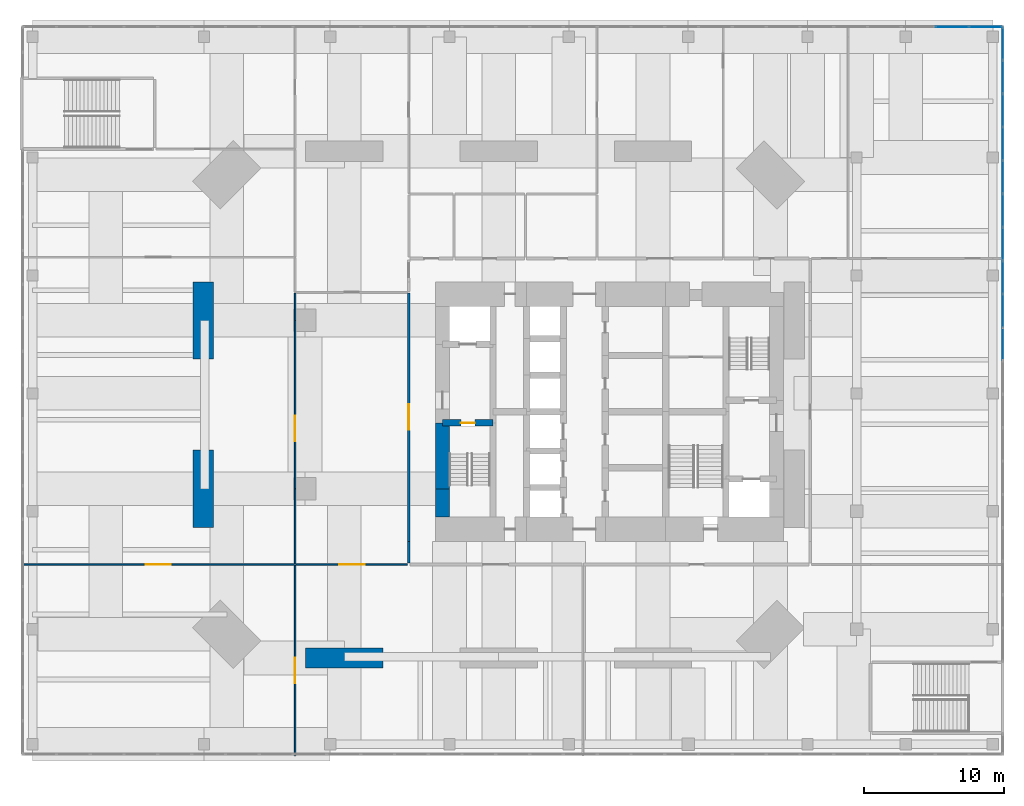
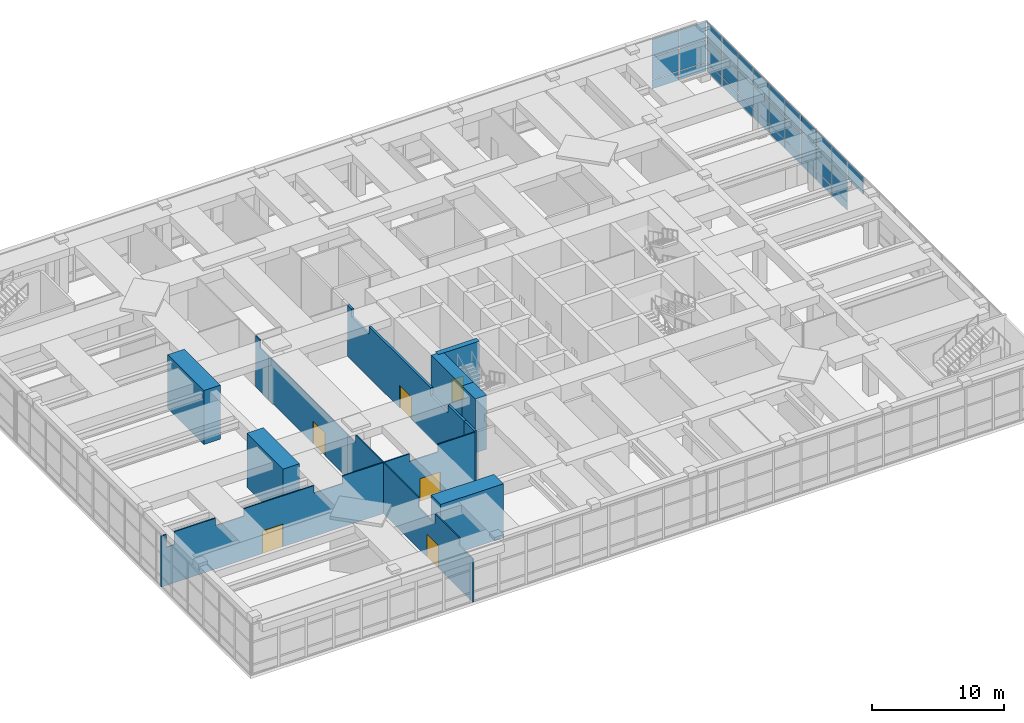
# One storey, part 18 of 24: 34 plates, 14 walls, 6 doors, 6 openings, 2 elements without a shape of their own.
"""IFC4 building model written with IfcOpenShell, lengths in metres."""

from ifc_helpers import new_model, si_unit, direction, frame, frame_2d, origin, origin_2d, place, context, subcontext, project, spatial, polyline, rectangle, outline, extrude, material, layer, layer_set, constituent, constituent_set, type_object, element, fill, aggregate, save


model = new_model("IFC4")

# Units and contexts
model_context = context("Model", 3, precision=1e-05, world=origin(), true_north=direction((0.0, 1.0)))
body_context = subcontext(model_context, "Body", "Model", "MODEL_VIEW")
ifc_project = project(units=[si_unit("LENGTHUNIT", "METRE"), si_unit("AREAUNIT", "SQUARE_METRE"), si_unit("VOLUMEUNIT", "CUBIC_METRE"), si_unit("PLANEANGLEUNIT", "RADIAN"), si_unit("MASSUNIT", "GRAM", prefix="KILO")], contexts=[model_context])

# Site, building, storey
site_placement = place(None, origin())
site = spatial("IfcSite", under=ifc_project, at=site_placement, CompositionType="ELEMENT")
building_placement = place(site_placement, origin())
building = spatial("IfcBuilding", under=site, at=building_placement, Name="Jalousie Tower", CompositionType="ELEMENT")
storey_placement = place(building_placement, frame((0.0, 0.0, 11.0)))
storey = spatial("IfcBuildingStorey", under=building, at=storey_placement, Name="L02", CompositionType="ELEMENT", Elevation=11.0)

# Curtain wall, plates
ifc_material_1 = material(Name="Aluminium curtain wall", Category="aluminium")
curtain_wall_type = type_object("IfcCurtainWallType", Name="PODIUM WINDOW WALL", PredefinedType="USERDEFINED", material=ifc_material_1)
curtain_wall_1_placement = place(storey_placement, origin())
curtain_wall_1 = element("IfcCurtainWall", 1, at=curtain_wall_1_placement, inside=storey, type_object=curtain_wall_type, Name="Podium Window Wall L02 13", ObjectType="PODIUM WINDOW WALL", PredefinedType="USERDEFINED")
ifc_material_2 = material(Name="Laminated impact-rated glass", Category="glass")
ifc_layer_1 = layer(ifc_material_2, 0.030029296875)
ifc_layer_set_1 = layer_set([ifc_layer_1], Name="Laminated impact-rated glass")
plate_type = type_object("IfcPlateType", Name="PODIUM WINDOW WALL PANEL", PredefinedType="CURTAIN_PANEL", material=ifc_layer_set_1)
plate_1_placement = place(storey_placement, frame((59.91259765625, 23.30615234375, 3.03515625), z_axis=(0.0, 0.0, 1.0), x_axis=(0.0, 1.0, 0.0)))
plate_1 = element("IfcPlate", 2, at=plate_1_placement, type_object=plate_type, Name="CW-P panel 10.3", PredefinedType="CURTAIN_PANEL", context=body_context, shape_type="SweptSolid", body=[
    extrude(rectangle(XDim=2.3095703125, YDim=0.030029296875, at=origin_2d()), origin(), (0.0, 0.0, 1.0), 1.614990234375),
])
plate_2_placement = place(storey_placement, frame((59.91259765625, 25.685791015625, 0.070068359375), z_axis=(0.0, 0.0, 1.0), x_axis=(0.0, 1.0, 0.0)))
plate_2 = element("IfcPlate", 3, at=plate_2_placement, type_object=plate_type, Name="CW-P panel 11.1", PredefinedType="CURTAIN_PANEL", context=body_context, shape_type="SweptSolid", body=[
    extrude(rectangle(XDim=2.3095703125, YDim=0.030029296875, at=origin_2d()), origin(), (0.0, 0.0, 1.0), 0.794921875),
])
plate_3_placement = place(storey_placement, frame((59.91259765625, 25.685791015625, 0.93505859375), z_axis=(0.0, 0.0, 1.0), x_axis=(0.0, 1.0, 0.0)))
plate_3 = element("IfcPlate", 4, at=plate_3_placement, type_object=plate_type, Name="CW-P panel 11.2", PredefinedType="CURTAIN_PANEL", context=body_context, shape_type="SweptSolid", body=[
    extrude(rectangle(XDim=2.3095703125, YDim=0.030029296875, at=origin_2d()), origin(), (0.0, 0.0, 1.0), 2.030029296875),
])
plate_4_placement = place(storey_placement, frame((59.91259765625, 25.685791015625, 3.03515625), z_axis=(0.0, 0.0, 1.0), x_axis=(0.0, 1.0, 0.0)))
plate_4 = element("IfcPlate", 5, at=plate_4_placement, type_object=plate_type, Name="CW-P panel 11.3", PredefinedType="CURTAIN_PANEL", context=body_context, shape_type="SweptSolid", body=[
    extrude(rectangle(XDim=2.3095703125, YDim=0.030029296875, at=origin_2d()), origin(), (0.0, 0.0, 1.0), 1.614990234375),
])
plate_5_placement = place(storey_placement, frame((59.91259765625, 28.0654296875, 0.070068359375), z_axis=(0.0, 0.0, 1.0), x_axis=(0.0, 1.0, 0.0)))
plate_5 = element("IfcPlate", 6, at=plate_5_placement, type_object=plate_type, Name="CW-P panel 12.1", PredefinedType="CURTAIN_PANEL", context=body_context, shape_type="SweptSolid", body=[
    extrude(rectangle(XDim=2.3095703125, YDim=0.030029296875, at=origin_2d()), origin(), (0.0, 0.0, 1.0), 0.794921875),
])
plate_6_placement = place(storey_placement, frame((59.91259765625, 28.0654296875, 0.93505859375), z_axis=(0.0, 0.0, 1.0), x_axis=(0.0, 1.0, 0.0)))
plate_6 = element("IfcPlate", 7, at=plate_6_placement, type_object=plate_type, Name="CW-P panel 12.2", PredefinedType="CURTAIN_PANEL", context=body_context, shape_type="SweptSolid", body=[
    extrude(rectangle(XDim=2.3095703125, YDim=0.030029296875, at=origin_2d()), origin(), (0.0, 0.0, 1.0), 2.030029296875),
])
plate_7_placement = place(storey_placement, frame((59.91259765625, 28.0654296875, 3.03515625), z_axis=(0.0, 0.0, 1.0), x_axis=(0.0, 1.0, 0.0)))
plate_7 = element("IfcPlate", 8, at=plate_7_placement, type_object=plate_type, Name="CW-P panel 12.3", PredefinedType="CURTAIN_PANEL", context=body_context, shape_type="SweptSolid", body=[
    extrude(rectangle(XDim=2.3095703125, YDim=0.030029296875, at=origin_2d()), origin(), (0.0, 0.0, 1.0), 1.614990234375),
])
plate_8_placement = place(storey_placement, frame((59.91259765625, 30.445068359375, 0.070068359375), z_axis=(0.0, 0.0, 1.0), x_axis=(0.0, 1.0, 0.0)))
plate_8 = element("IfcPlate", 9, at=plate_8_placement, type_object=plate_type, Name="CW-P panel 13.1", PredefinedType="CURTAIN_PANEL", context=body_context, shape_type="SweptSolid", body=[
    extrude(rectangle(XDim=2.3095703125, YDim=0.030029296875, at=origin_2d()), origin(), (0.0, 0.0, 1.0), 0.794921875),
])
plate_9_placement = place(storey_placement, frame((59.91259765625, 30.445068359375, 0.93505859375), z_axis=(0.0, 0.0, 1.0), x_axis=(0.0, 1.0, 0.0)))
plate_9 = element("IfcPlate", 10, at=plate_9_placement, type_object=plate_type, Name="CW-P panel 13.2", PredefinedType="CURTAIN_PANEL", context=body_context, shape_type="SweptSolid", body=[
    extrude(rectangle(XDim=2.3095703125, YDim=0.030029296875, at=origin_2d()), origin(), (0.0, 0.0, 1.0), 2.030029296875),
])
plate_10_placement = place(storey_placement, frame((59.91259765625, 30.445068359375, 3.03515625), z_axis=(0.0, 0.0, 1.0), x_axis=(0.0, 1.0, 0.0)))
plate_10 = element("IfcPlate", 11, at=plate_10_placement, type_object=plate_type, Name="CW-P panel 13.3", PredefinedType="CURTAIN_PANEL", context=body_context, shape_type="SweptSolid", body=[
    extrude(rectangle(XDim=2.3095703125, YDim=0.030029296875, at=origin_2d()), origin(), (0.0, 0.0, 1.0), 1.614990234375),
])
plate_11_placement = place(storey_placement, frame((59.91259765625, 32.82470703125, 0.070068359375), z_axis=(0.0, 0.0, 1.0), x_axis=(0.0, 1.0, 0.0)))
plate_11 = element("IfcPlate", 12, at=plate_11_placement, type_object=plate_type, Name="CW-P panel 14.1", PredefinedType="CURTAIN_PANEL", context=body_context, shape_type="SweptSolid", body=[
    extrude(rectangle(XDim=2.3095703125, YDim=0.030029296875, at=origin_2d()), origin(), (0.0, 0.0, 1.0), 0.794921875),
])
plate_12_placement = place(storey_placement, frame((59.91259765625, 32.82470703125, 0.93505859375), z_axis=(0.0, 0.0, 1.0), x_axis=(0.0, 1.0, 0.0)))
plate_12 = element("IfcPlate", 13, at=plate_12_placement, type_object=plate_type, Name="CW-P panel 14.2", PredefinedType="CURTAIN_PANEL", context=body_context, shape_type="SweptSolid", body=[
    extrude(rectangle(XDim=2.3095703125, YDim=0.030029296875, at=origin_2d()), origin(), (0.0, 0.0, 1.0), 2.030029296875),
])
plate_13_placement = place(storey_placement, frame((59.91259765625, 32.82470703125, 3.03515625), z_axis=(0.0, 0.0, 1.0), x_axis=(0.0, 1.0, 0.0)))
plate_13 = element("IfcPlate", 14, at=plate_13_placement, type_object=plate_type, Name="CW-P panel 14.3", PredefinedType="CURTAIN_PANEL", context=body_context, shape_type="SweptSolid", body=[
    extrude(rectangle(XDim=2.3095703125, YDim=0.030029296875, at=origin_2d()), origin(), (0.0, 0.0, 1.0), 1.614990234375),
])
plate_14_placement = place(storey_placement, frame((59.91259765625, 35.204345703125, 0.070068359375), z_axis=(0.0, 0.0, 1.0), x_axis=(0.0, 1.0, 0.0)))
plate_14 = element("IfcPlate", 15, at=plate_14_placement, type_object=plate_type, Name="CW-P panel 15.1", PredefinedType="CURTAIN_PANEL", context=body_context, shape_type="SweptSolid", body=[
    extrude(rectangle(XDim=2.3095703125, YDim=0.030029296875, at=origin_2d()), origin(), (0.0, 0.0, 1.0), 0.794921875),
])
plate_15_placement = place(storey_placement, frame((59.91259765625, 35.204345703125, 0.93505859375), z_axis=(0.0, 0.0, 1.0), x_axis=(0.0, 1.0, 0.0)))
plate_15 = element("IfcPlate", 16, at=plate_15_placement, type_object=plate_type, Name="CW-P panel 15.2", PredefinedType="CURTAIN_PANEL", context=body_context, shape_type="SweptSolid", body=[
    extrude(rectangle(XDim=2.3095703125, YDim=0.030029296875, at=origin_2d()), origin(), (0.0, 0.0, 1.0), 2.030029296875),
])
plate_16_placement = place(storey_placement, frame((59.91259765625, 35.204345703125, 3.03515625), z_axis=(0.0, 0.0, 1.0), x_axis=(0.0, 1.0, 0.0)))
plate_16 = element("IfcPlate", 17, at=plate_16_placement, type_object=plate_type, Name="CW-P panel 15.3", PredefinedType="CURTAIN_PANEL", context=body_context, shape_type="SweptSolid", body=[
    extrude(rectangle(XDim=2.3095703125, YDim=0.030029296875, at=origin_2d()), origin(), (0.0, 0.0, 1.0), 1.614990234375),
])
plate_17_placement = place(storey_placement, frame((59.91259765625, 37.583984375, 0.070068359375), z_axis=(0.0, 0.0, 1.0), x_axis=(0.0, 1.0, 0.0)))
plate_17 = element("IfcPlate", 18, at=plate_17_placement, type_object=plate_type, Name="CW-P panel 16.1", PredefinedType="CURTAIN_PANEL", context=body_context, shape_type="SweptSolid", body=[
    extrude(rectangle(XDim=2.3095703125, YDim=0.030029296875, at=origin_2d()), origin(), (0.0, 0.0, 1.0), 0.794921875),
])
plate_18_placement = place(storey_placement, frame((59.91259765625, 37.583984375, 0.93505859375), z_axis=(0.0, 0.0, 1.0), x_axis=(0.0, 1.0, 0.0)))
plate_18 = element("IfcPlate", 19, at=plate_18_placement, type_object=plate_type, Name="CW-P panel 16.2", PredefinedType="CURTAIN_PANEL", context=body_context, shape_type="SweptSolid", body=[
    extrude(rectangle(XDim=2.3095703125, YDim=0.030029296875, at=origin_2d()), origin(), (0.0, 0.0, 1.0), 2.030029296875),
])
plate_19_placement = place(storey_placement, frame((59.91259765625, 37.583984375, 3.03515625), z_axis=(0.0, 0.0, 1.0), x_axis=(0.0, 1.0, 0.0)))
plate_19 = element("IfcPlate", 20, at=plate_19_placement, type_object=plate_type, Name="CW-P panel 16.3", PredefinedType="CURTAIN_PANEL", context=body_context, shape_type="SweptSolid", body=[
    extrude(rectangle(XDim=2.3095703125, YDim=0.030029296875, at=origin_2d()), origin(), (0.0, 0.0, 1.0), 1.614990234375),
])
plate_20_placement = place(storey_placement, frame((59.91259765625, 39.96337890625, 0.070068359375), z_axis=(0.0, 0.0, 1.0), x_axis=(0.0, 1.0, 0.0)))
plate_20 = element("IfcPlate", 21, at=plate_20_placement, type_object=plate_type, Name="CW-P panel 17.1", PredefinedType="CURTAIN_PANEL", context=body_context, shape_type="SweptSolid", body=[
    extrude(rectangle(XDim=2.3095703125, YDim=0.030029296875, at=origin_2d()), origin(), (0.0, 0.0, 1.0), 0.794921875),
])
plate_21_placement = place(storey_placement, frame((59.91259765625, 39.96337890625, 0.93505859375), z_axis=(0.0, 0.0, 1.0), x_axis=(0.0, 1.0, 0.0)))
plate_21 = element("IfcPlate", 22, at=plate_21_placement, type_object=plate_type, Name="CW-P panel 17.2", PredefinedType="CURTAIN_PANEL", context=body_context, shape_type="SweptSolid", body=[
    extrude(rectangle(XDim=2.3095703125, YDim=0.030029296875, at=origin_2d()), origin(), (0.0, 0.0, 1.0), 2.030029296875),
])
plate_22_placement = place(storey_placement, frame((59.91259765625, 39.96337890625, 3.03515625), z_axis=(0.0, 0.0, 1.0), x_axis=(0.0, 1.0, 0.0)))
plate_22 = element("IfcPlate", 23, at=plate_22_placement, type_object=plate_type, Name="CW-P panel 17.3", PredefinedType="CURTAIN_PANEL", context=body_context, shape_type="SweptSolid", body=[
    extrude(rectangle(XDim=2.3095703125, YDim=0.030029296875, at=origin_2d()), origin(), (0.0, 0.0, 1.0), 1.614990234375),
])
plate_23_placement = place(storey_placement, frame((59.91259765625, 42.343017578125, 0.070068359375), z_axis=(0.0, 0.0, 1.0), x_axis=(0.0, 1.0, 0.0)))
plate_23 = element("IfcPlate", 24, at=plate_23_placement, type_object=plate_type, Name="CW-P panel 18.1", PredefinedType="CURTAIN_PANEL", context=body_context, shape_type="SweptSolid", body=[
    extrude(rectangle(XDim=2.3095703125, YDim=0.030029296875, at=origin_2d()), origin(), (0.0, 0.0, 1.0), 0.794921875),
])
plate_24_placement = place(storey_placement, frame((59.91259765625, 42.343017578125, 0.93505859375), z_axis=(0.0, 0.0, 1.0), x_axis=(0.0, 1.0, 0.0)))
plate_24 = element("IfcPlate", 25, at=plate_24_placement, type_object=plate_type, Name="CW-P panel 18.2", PredefinedType="CURTAIN_PANEL", context=body_context, shape_type="SweptSolid", body=[
    extrude(rectangle(XDim=2.3095703125, YDim=0.030029296875, at=origin_2d()), origin(), (0.0, 0.0, 1.0), 2.030029296875),
])
plate_25_placement = place(storey_placement, frame((59.91259765625, 42.343017578125, 3.03515625), z_axis=(0.0, 0.0, 1.0), x_axis=(0.0, 1.0, 0.0)))
plate_25 = element("IfcPlate", 26, at=plate_25_placement, type_object=plate_type, Name="CW-P panel 18.3", PredefinedType="CURTAIN_PANEL", context=body_context, shape_type="SweptSolid", body=[
    extrude(rectangle(XDim=2.3095703125, YDim=0.030029296875, at=origin_2d()), origin(), (0.0, 0.0, 1.0), 1.614990234375),
])
plate_26_placement = place(storey_placement, frame((59.91259765625, 44.705078125, 0.070068359375), z_axis=(0.0, 0.0, 1.0), x_axis=(0.0, 1.0, 0.0)))
plate_26 = element("IfcPlate", 27, at=plate_26_placement, type_object=plate_type, Name="CW-P panel 19.1", PredefinedType="CURTAIN_PANEL", context=body_context, shape_type="SweptSolid", body=[
    extrude(rectangle(XDim=2.274658203125, YDim=0.030029296875, at=origin_2d()), origin(), (0.0, 0.0, 1.0), 0.794921875),
])
plate_27_placement = place(storey_placement, frame((59.91259765625, 44.705078125, 0.93505859375), z_axis=(0.0, 0.0, 1.0), x_axis=(0.0, 1.0, 0.0)))
plate_27 = element("IfcPlate", 28, at=plate_27_placement, type_object=plate_type, Name="CW-P panel 19.2", PredefinedType="CURTAIN_PANEL", context=body_context, shape_type="SweptSolid", body=[
    extrude(rectangle(XDim=2.274658203125, YDim=0.030029296875, at=origin_2d()), origin(), (0.0, 0.0, 1.0), 2.030029296875),
])
plate_28_placement = place(storey_placement, frame((59.91259765625, 44.705078125, 3.03515625), z_axis=(0.0, 0.0, 1.0), x_axis=(0.0, 1.0, 0.0)))
plate_28 = element("IfcPlate", 29, at=plate_28_placement, type_object=plate_type, Name="CW-P panel 19.3", PredefinedType="CURTAIN_PANEL", context=body_context, shape_type="SweptSolid", body=[
    extrude(rectangle(XDim=2.274658203125, YDim=0.030029296875, at=origin_2d()), origin(), (0.0, 0.0, 1.0), 1.614990234375),
])
aggregate(curtain_wall_1, [plate_1, plate_2, plate_3, plate_4, plate_5, plate_6, plate_7, plate_8, plate_9, plate_10, plate_11, plate_12, plate_13, plate_14, plate_15, plate_16, plate_17, plate_18, plate_19, plate_20, plate_21, plate_22, plate_23, plate_24, plate_25, plate_26, plate_27, plate_28])

curtain_wall_2_placement = place(storey_placement, origin())
curtain_wall_2 = element("IfcCurtainWall", 30, at=curtain_wall_2_placement, inside=storey, type_object=curtain_wall_type, Name="Podium Window Wall L02 21", ObjectType="PODIUM WINDOW WALL", PredefinedType="USERDEFINED")
plate_29_placement = place(storey_placement, frame((58.691162109375, 45.91259765625, 0.070068359375), z_axis=(0.0, 0.0, 1.0), x_axis=(-1.0, 0.0, 0.0)))
plate_29 = element("IfcPlate", 31, at=plate_29_placement, type_object=plate_type, Name="CW-P panel 1.1", PredefinedType="CURTAIN_PANEL", context=body_context, shape_type="SweptSolid", body=[
    extrude(rectangle(XDim=2.302734375, YDim=0.030029296875, at=origin_2d()), origin(), (0.0, 0.0, 1.0), 0.794921875),
])
plate_30_placement = place(storey_placement, frame((58.691162109375, 45.91259765625, 0.93505859375), z_axis=(0.0, 0.0, 1.0), x_axis=(-1.0, 0.0, 0.0)))
plate_30 = element("IfcPlate", 32, at=plate_30_placement, type_object=plate_type, Name="CW-P panel 1.2", PredefinedType="CURTAIN_PANEL", context=body_context, shape_type="SweptSolid", body=[
    extrude(rectangle(XDim=2.302734375, YDim=0.030029296875, at=origin_2d()), origin(), (0.0, 0.0, 1.0), 2.030029296875),
])
plate_31_placement = place(storey_placement, frame((58.691162109375, 45.91259765625, 3.03515625), z_axis=(0.0, 0.0, 1.0), x_axis=(-1.0, 0.0, 0.0)))
plate_31 = element("IfcPlate", 33, at=plate_31_placement, type_object=plate_type, Name="CW-P panel 1.3", PredefinedType="CURTAIN_PANEL", context=body_context, shape_type="SweptSolid", body=[
    extrude(rectangle(XDim=2.302734375, YDim=0.030029296875, at=origin_2d()), origin(), (0.0, 0.0, 1.0), 1.614990234375),
])
plate_32_placement = place(storey_placement, frame((56.30078125, 45.91259765625, 0.070068359375), z_axis=(0.0, 0.0, 1.0), x_axis=(-1.0, 0.0, 0.0)))
plate_32 = element("IfcPlate", 34, at=plate_32_placement, type_object=plate_type, Name="CW-P panel 2.1", PredefinedType="CURTAIN_PANEL", context=body_context, shape_type="SweptSolid", body=[
    extrude(rectangle(XDim=2.337646484375, YDim=0.030029296875, at=origin_2d()), origin(), (0.0, 0.0, 1.0), 0.794921875),
])
plate_33_placement = place(storey_placement, frame((56.30078125, 45.91259765625, 0.93505859375), z_axis=(0.0, 0.0, 1.0), x_axis=(-1.0, 0.0, 0.0)))
plate_33 = element("IfcPlate", 35, at=plate_33_placement, type_object=plate_type, Name="CW-P panel 2.2", PredefinedType="CURTAIN_PANEL", context=body_context, shape_type="SweptSolid", body=[
    extrude(rectangle(XDim=2.337646484375, YDim=0.030029296875, at=origin_2d()), origin(), (0.0, 0.0, 1.0), 2.030029296875),
])
plate_34_placement = place(storey_placement, frame((56.30078125, 45.91259765625, 3.03515625), z_axis=(0.0, 0.0, 1.0), x_axis=(-1.0, 0.0, 0.0)))
plate_34 = element("IfcPlate", 36, at=plate_34_placement, type_object=plate_type, Name="CW-P panel 2.3", PredefinedType="CURTAIN_PANEL", context=body_context, shape_type="SweptSolid", body=[
    extrude(rectangle(XDim=2.337646484375, YDim=0.030029296875, at=origin_2d()), origin(), (0.0, 0.0, 1.0), 1.614990234375),
])
aggregate(curtain_wall_2, [plate_29, plate_30, plate_31, plate_32, plate_33, plate_34])

# Walls
ifc_material_3 = material(Name="Concrete f'c 120 MPa", Category="concrete")
ifc_layer_2 = layer(ifc_material_3, 1.0)
ifc_layer_set_2 = layer_set([ifc_layer_2], Name="Concrete f'c 120 MPa")
wall_type_1 = type_object("IfcWallType", Name="CORE WALL 1000", PredefinedType="SHEAR", material=ifc_layer_set_2)
wall_1_placement = place(storey_placement, frame((20.0, 17.699951171875, 0.0), z_axis=(0.0, 0.0, 1.0), x_axis=(0.0, -1.0, 0.0)))
element("IfcWall", 37, at=wall_1_placement, inside=storey, type_object=wall_type_1, Name="Core wall WC L02", PredefinedType="SHEAR", context=body_context, shape_type="SweptSolid", body=[
    extrude(rectangle(XDim=4.699951171875, YDim=1.0, at=frame_2d((2.35009765625, 0.0))), origin(), (0.0, 0.0, 1.0), 5.0),
])
wall_2_placement = place(storey_placement, frame((20.0, 13.0, 0.0), z_axis=(0.0, 0.0, 1.0), x_axis=(0.0, -1.0, 0.0)))
element("IfcWall", 38, at=wall_2_placement, inside=storey, type_object=wall_type_1, Name="Core wall WD L02", PredefinedType="SHEAR", context=body_context, shape_type="SweptSolid", body=[
    extrude(rectangle(XDim=2.0, YDim=1.0, at=frame_2d((1.0, 0.0))), origin(), (0.0, 0.0, 1.0), 5.0),
])

# Wall, opening, door
ifc_material_4 = material(Name="Concrete f'c 120 MPa", Category="concrete")
ifc_layer_3 = layer(ifc_material_4, 0.449951171875)
ifc_layer_set_3 = layer_set([ifc_layer_3], Name="Concrete f'c 120 MPa")
wall_type_2 = type_object("IfcWallType", Name="CORE WALL 450", PredefinedType="SHEAR", material=ifc_layer_set_3)
wall_3_placement = place(storey_placement, frame((20.0, 17.699951171875, 0.0), z_axis=(0.0, 0.0, 1.0), x_axis=(1.0, 0.0, 0.0)))
wall_3 = element("IfcWall", 39, at=wall_3_placement, inside=storey, type_object=wall_type_2, Name="Core wall Y20-17.7 L02", PredefinedType="SHEAR", context=body_context, shape_type="SweptSolid", body=[
    extrude(rectangle(XDim=3.60009765625, YDim=0.449951171875, at=frame_2d((1.800048828125, 0.0))), origin(), (0.0, 0.0, 1.0), 5.0),
])
opening_1_placement = place(wall_3_placement, frame((1.300048828125, 0.0, 0.0)))
opening_1 = element("IfcOpeningElement", 40, at=opening_1_placement, cuts=wall_3, Name="Opening D10", PredefinedType="OPENING", context=body_context, shape_type="SweptSolid", body=[
    extrude(rectangle(XDim=1.0, YDim=2.10009765625, at=frame_2d((0.5, 1.050048828125))), frame((0.0, 0.23486328125, 0.0), z_axis=(0.0, -1.0, 0.0), x_axis=(1.0, 0.0, 0.0)), (0.0, 0.0, 1.0), 0.469970703125),
])
ifc_material_5 = material(Name="Steel fire door", Category="steel")
door_type_1 = type_object("IfcDoorType", Name="STAIR DOOR 1000", OperationType="SINGLE_SWING_LEFT", PredefinedType="DOOR", material=ifc_material_5)
door_1_placement = place(opening_1_placement, frame((1.0, 0.0, 0.0), z_axis=(0.0, 0.0, 1.0), x_axis=(-1.0, 0.0, 0.0)))
door_1 = element("IfcDoor", 41, at=door_1_placement, inside=storey, type_object=door_type_1, Name="Exit stair A door", OperationType="SINGLE_SWING_RIGHT", OverallHeight=2.10009765625, OverallWidth=1.0, PredefinedType="DOOR", context=body_context, shape_type="SweptSolid", body=[
    extrude(rectangle(XDim=1.0, YDim=2.10009765625, at=frame_2d((0.5, 1.050048828125))), frame((0.0, 0.02490234375, 0.0), z_axis=(0.0, -1.0, 0.0), x_axis=(1.0, 0.0, 0.0)), (0.0, 0.0, 1.0), 0.050048828125),
])
fill(opening_1, door_1)

# Wall
ifc_material_6 = material(Name="Concrete block ASTM C90", Category="concrete")
ifc_constituent_1 = constituent(ifc_material_6, Name="Body")
ifc_material_7 = material(Name="Render")
ifc_constituent_2 = constituent(ifc_material_7, Name="Finish")
ifc_constituent_set_1 = constituent_set(constituents=[ifc_constituent_1, ifc_constituent_2])
wall_type_3 = type_object("IfcWallType", Name="CORRIDOR WALL 200", PredefinedType="PARTITIONING", material=ifc_constituent_set_1)
wall_4_placement = place(storey_placement, frame((17.60009765625, 7.699951171875, 0.0), z_axis=(0.0, 0.0, 1.0), x_axis=(0.0, 1.0, 0.0)))
element("IfcWall", 42, at=wall_4_placement, inside=storey, type_object=wall_type_3, Name="Corridor Wall 200 L02", PredefinedType="PARTITIONING", context=body_context, shape_type="SweptSolid", body=[
    extrude(rectangle(XDim=1.550048828125, YDim=0.199951171875, at=frame_2d((0.77490234375, 0.0))), origin(), (0.0, 0.0, 1.0), 4.719970703125),
])

# Wall, opening, door
wall_5_placement = place(storey_placement, frame((17.60009765625, 9.25, 0.0), z_axis=(0.0, 0.0, 1.0), x_axis=(0.0, 1.0, 0.0)))
wall_5 = element("IfcWall", 43, at=wall_5_placement, inside=storey, type_object=wall_type_3, Name="Corridor Wall 200 L02", PredefinedType="PARTITIONING", context=body_context, shape_type="SweptSolid", body=[
    extrude(outline(polyline([(0.0, 0.0), (17.699951171875, 0.0), (17.699951171875, 4.719970703125), (17.06005859375, 4.719970703125), (17.06005859375, 4.02001953125), (14.43994140625, 4.02001953125), (14.43994140625, 4.719970703125), (5.06005859375, 4.719970703125), (5.06005859375, 4.02001953125), (2.43994140625, 4.02001953125), (2.43994140625, 4.719970703125), (0.0, 4.719970703125), (0.0, 0.0)])), frame((0.0, 0.10009765625, 0.0), z_axis=(0.0, -1.0, 0.0), x_axis=(1.0, 0.0, 0.0)), (0.0, 0.0, 1.0), 0.199951171875),
])
opening_2_placement = place(wall_5_placement, frame((7.97509765625, 0.0, 0.0)))
opening_2 = element("IfcOpeningElement", 44, at=opening_2_placement, cuts=wall_5, Name="Opening D22", PredefinedType="OPENING", context=body_context, shape_type="SweptSolid", body=[
    extrude(rectangle(XDim=1.800048828125, YDim=2.10009765625, at=frame_2d((0.89990234375, 1.050048828125))), frame((0.0, 0.10986328125, 0.0), z_axis=(0.0, -1.0, 0.0), x_axis=(1.0, 0.0, 0.0)), (0.0, 0.0, 1.0), 0.219970703125),
])
ifc_material_8 = material(Name="Timber fire door", Category="wood")
door_type_2 = type_object("IfcDoorType", Name="CORRIDOR DOUBLE DOOR 1800", OperationType="DOUBLE_DOOR_SINGLE_SWING", PredefinedType="DOOR", material=ifc_material_8)
door_2_placement = place(opening_2_placement, origin())
door_2 = element("IfcDoor", 45, at=door_2_placement, inside=storey, type_object=door_type_2, Name="Games lounge door", OperationType="DOUBLE_DOOR_SINGLE_SWING", OverallHeight=2.10009765625, OverallWidth=1.800048828125, PredefinedType="DOOR", context=body_context, shape_type="SweptSolid", body=[
    extrude(rectangle(XDim=1.800048828125, YDim=2.10009765625, at=frame_2d((0.89990234375, 1.050048828125))), frame((0.0, 0.02490234375, 0.0), z_axis=(0.0, -1.0, 0.0), x_axis=(1.0, 0.0, 0.0)), (0.0, 0.0, 1.0), 0.050048828125),
])
fill(opening_2, door_2)

# Wall
ifc_material_9 = material(Name="Gypsum board", Category="gypsum")
ifc_constituent_3 = constituent(ifc_material_9, Name="Body")
ifc_material_10 = material(Name="Light-gauge steel studs ASTM A653 SS Grade 33", Category="steel")
ifc_constituent_4 = constituent(ifc_material_10, Name="Framing")
ifc_constituent_set_2 = constituent_set(constituents=[ifc_constituent_3, ifc_constituent_4])
wall_type_4 = type_object("IfcWallType", Name="PARTITION 100", PredefinedType="PARTITIONING", material=ifc_constituent_set_2)
wall_6_placement = place(storey_placement, frame((9.5, 7.64990234375, 0.0), z_axis=(0.0, 0.0, 1.0), x_axis=(0.0, 1.0, 0.0)))
element("IfcWall", 46, at=wall_6_placement, inside=storey, type_object=wall_type_4, Name="Partition 100 L02-A", PredefinedType="PARTITIONING", context=body_context, shape_type="SweptSolid", body=[
    extrude(outline(polyline([(0.0, 0.0), (5.35009765625, 0.0), (5.35009765625, 4.02001953125), (4.090087890625, 4.02001953125), (4.090087890625, 4.719970703125), (0.0, 4.719970703125), (0.0, 0.0)])), frame((0.0, 0.050048828125, 0.0), z_axis=(0.0, -1.0, 0.0), x_axis=(1.0, 0.0, 0.0)), (0.0, 0.0, 1.0), 0.10009765625),
])

# Wall, opening, door
wall_7_placement = place(storey_placement, frame((9.5, 13.0, 0.0), z_axis=(0.0, 0.0, 1.0), x_axis=(0.0, 1.0, 0.0)))
wall_7 = element("IfcWall", 47, at=wall_7_placement, inside=storey, type_object=wall_type_4, Name="Partition 100 L02-B", PredefinedType="PARTITIONING", context=body_context, shape_type="SweptSolid", body=[
    extrude(rectangle(XDim=12.0, YDim=0.10009765625, at=frame_2d((6.0, 0.0))), origin(), (0.0, 0.0, 1.0), 4.02001953125),
])
opening_3_placement = place(wall_7_placement, frame((3.39990234375, 0.0, 0.0)))
opening_3 = element("IfcOpeningElement", 48, at=opening_3_placement, cuts=wall_7, Name="Opening D5", PredefinedType="OPENING", context=body_context, shape_type="SweptSolid", body=[
    extrude(rectangle(XDim=1.800048828125, YDim=2.10009765625, at=frame_2d((0.89990234375, 1.050048828125))), frame((0.0, 0.06005859375, 0.0), z_axis=(0.0, -1.0, 0.0), x_axis=(1.0, 0.0, 0.0)), (0.0, 0.0, 1.0), 0.1201171875),
])
ifc_material_11 = material(Name="Timber door", Category="wood")
door_type_3 = type_object("IfcDoorType", Name="DOUBLE DOOR 1800", OperationType="DOUBLE_DOOR_SINGLE_SWING", PredefinedType="DOOR", material=ifc_material_11)
door_3_placement = place(opening_3_placement, origin())
door_3 = element("IfcDoor", 49, at=door_3_placement, inside=storey, type_object=door_type_3, Name="Function hall door", OperationType="DOUBLE_DOOR_SINGLE_SWING", OverallHeight=2.10009765625, OverallWidth=1.800048828125, PredefinedType="DOOR", context=body_context, shape_type="SweptSolid", body=[
    extrude(rectangle(XDim=1.800048828125, YDim=2.10009765625, at=frame_2d((0.89990234375, 1.050048828125))), frame((0.0, 0.02490234375, 0.0), z_axis=(0.0, -1.0, 0.0), x_axis=(1.0, 0.0, 0.0)), (0.0, 0.0, 1.0), 0.050048828125),
])
fill(opening_3, door_3)

# Wall
wall_8_placement = place(storey_placement, frame((9.5, 25.0, 0.0), z_axis=(0.0, 0.0, 1.0), x_axis=(0.0, 1.0, 0.0)))
element("IfcWall", 50, at=wall_8_placement, inside=storey, type_object=wall_type_4, Name="Partition 100 L02-C", PredefinedType="PARTITIONING", context=body_context, shape_type="SweptSolid", body=[
    extrude(outline(polyline([(0.0, 0.0), (1.949951171875, 0.0), (1.949951171875, 4.719970703125), (1.260009765625, 4.719970703125), (1.260009765625, 4.02001953125), (0.0, 4.02001953125), (0.0, 0.0)])), frame((0.0, 0.050048828125, 0.0), z_axis=(0.0, -1.0, 0.0), x_axis=(1.0, 0.0, 0.0)), (0.0, 0.0, 1.0), 0.10009765625),
])

# Wall, opening, door
wall_9_placement = place(storey_placement, frame((-10.0, 7.60009765625, 0.0), z_axis=(0.0, 0.0, 1.0), x_axis=(1.0, 0.0, 0.0)))
wall_9 = element("IfcWall", 51, at=wall_9_placement, inside=storey, type_object=wall_type_4, Name="Partition 100 L02", PredefinedType="PARTITIONING", context=body_context, shape_type="SweptSolid", body=[
    extrude(outline(polyline([(0.0, 0.0), (19.449951171875, 0.0), (19.449951171875, 4.719970703125), (15.891357421875, 4.719970703125), (15.891357421875, 4.02001953125), (13.371337890625, 4.02001953125), (13.371337890625, 4.719970703125), (7.260009765625, 4.719970703125), (7.260009765625, 4.02001953125), (4.739990234375, 4.02001953125), (4.739990234375, 4.719970703125), (1.159912109375, 4.719970703125), (1.159912109375, 3.52001953125), (0.43994140625, 3.52001953125), (0.43994140625, 4.719970703125), (0.0, 4.719970703125), (0.0, 0.0)])), frame((0.0, 0.050048828125, 0.0), z_axis=(0.0, -1.0, 0.0), x_axis=(1.0, 0.0, 0.0)), (0.0, 0.0, 1.0), 0.10009765625),
])
opening_4_placement = place(wall_9_placement, frame((8.85009765625, 0.0, 0.0)))
opening_4 = element("IfcOpeningElement", 52, at=opening_4_placement, cuts=wall_9, Name="Opening D5", PredefinedType="OPENING", context=body_context, shape_type="SweptSolid", body=[
    extrude(rectangle(XDim=1.800048828125, YDim=2.10009765625, at=frame_2d((0.89990234375, 1.050048828125))), frame((0.0, 0.06005859375, 0.0), z_axis=(0.0, -1.0, 0.0), x_axis=(1.0, 0.0, 0.0)), (0.0, 0.0, 1.0), 0.1201171875),
])
door_4_placement = place(opening_4_placement, frame((1.800048828125, 0.0, 0.0), z_axis=(0.0, 0.0, 1.0), x_axis=(-1.0, 0.0, 0.0)))
door_4 = element("IfcDoor", 53, at=door_4_placement, inside=storey, type_object=door_type_3, Name="Catering kitchen door", OperationType="DOUBLE_DOOR_SINGLE_SWING", OverallHeight=2.10009765625, OverallWidth=1.800048828125, PredefinedType="DOOR", context=body_context, shape_type="SweptSolid", body=[
    extrude(rectangle(XDim=1.800048828125, YDim=2.10009765625, at=frame_2d((0.89990234375, 1.050048828125))), frame((0.0, 0.02490234375, 0.0), z_axis=(0.0, -1.0, 0.0), x_axis=(1.0, 0.0, 0.0)), (0.0, 0.0, 1.0), 0.050048828125),
])
fill(opening_4, door_4)

wall_10_placement = place(storey_placement, frame((9.550048828125, 7.60009765625, 0.0), z_axis=(0.0, 0.0, 1.0), x_axis=(1.0, 0.0, 0.0)))
wall_10 = element("IfcWall", 54, at=wall_10_placement, inside=storey, type_object=wall_type_4, Name="Partition 100 L02", PredefinedType="PARTITIONING", context=body_context, shape_type="SweptSolid", body=[
    extrude(outline(polyline([(0.0, 0.0), (7.949951171875, 0.0), (7.949951171875, 4.719970703125), (4.7099609375, 4.719970703125), (4.7099609375, 4.02001953125), (2.18994140625, 4.02001953125), (2.18994140625, 4.719970703125), (0.0, 4.719970703125), (0.0, 0.0)])), frame((0.0, 0.050048828125, 0.0), z_axis=(0.0, -1.0, 0.0), x_axis=(1.0, 0.0, 0.0)), (0.0, 0.0, 1.0), 0.10009765625),
])
opening_5_placement = place(wall_10_placement, frame((3.10009765625, 0.0, 0.0)))
opening_5 = element("IfcOpeningElement", 55, at=opening_5_placement, cuts=wall_10, Name="Opening D5", PredefinedType="OPENING", context=body_context, shape_type="SweptSolid", body=[
    extrude(rectangle(XDim=1.800048828125, YDim=2.10009765625, at=frame_2d((0.89990234375, 1.050048828125))), frame((0.0, 0.06005859375, 0.0), z_axis=(0.0, -1.0, 0.0), x_axis=(1.0, 0.0, 0.0)), (0.0, 0.0, 1.0), 0.1201171875),
])
door_5_placement = place(opening_5_placement, origin())
door_5 = element("IfcDoor", 56, at=door_5_placement, inside=storey, type_object=door_type_3, Name="Games lounge foyer door", OperationType="DOUBLE_DOOR_SINGLE_SWING", OverallHeight=2.10009765625, OverallWidth=1.800048828125, PredefinedType="DOOR", context=body_context, shape_type="SweptSolid", body=[
    extrude(rectangle(XDim=1.800048828125, YDim=2.10009765625, at=frame_2d((0.89990234375, 1.050048828125))), frame((0.0, 0.02490234375, 0.0), z_axis=(0.0, -1.0, 0.0), x_axis=(1.0, 0.0, 0.0)), (0.0, 0.0, 1.0), 0.050048828125),
])
fill(opening_5, door_5)

wall_11_placement = place(storey_placement, frame((9.5, -6.0, 0.0), z_axis=(0.0, 0.0, 1.0), x_axis=(0.0, 1.0, 0.0)))
wall_11 = element("IfcWall", 57, at=wall_11_placement, inside=storey, type_object=wall_type_4, Name="Partition 100 L02", PredefinedType="PARTITIONING", context=body_context, shape_type="SweptSolid", body=[
    extrude(outline(polyline([(0.0, 0.0), (13.550048828125, 0.0), (13.550048828125, 4.719970703125), (8.2099609375, 4.719970703125), (8.2099609375, 3.820068359375), (5.68994140625, 3.820068359375), (5.68994140625, 4.719970703125), (2.06005859375, 4.719970703125), (2.06005859375, 4.02001953125), (0.0, 4.02001953125), (0.0, 4.719970703125), (0.0, 0.0)])), frame((0.0, 0.050048828125, 0.0), z_axis=(0.0, -1.0, 0.0), x_axis=(1.0, 0.0, 0.0)), (0.0, 0.0, 1.0), 0.10009765625),
])
opening_6_placement = place(wall_11_placement, frame((5.14990234375, 0.0, 0.0)))
opening_6 = element("IfcOpeningElement", 58, at=opening_6_placement, cuts=wall_11, Name="Opening D5", PredefinedType="OPENING", context=body_context, shape_type="SweptSolid", body=[
    extrude(rectangle(XDim=1.800048828125, YDim=2.10009765625, at=frame_2d((0.89990234375, 1.050048828125))), frame((0.0, 0.06005859375, 0.0), z_axis=(0.0, -1.0, 0.0), x_axis=(1.0, 0.0, 0.0)), (0.0, 0.0, 1.0), 0.1201171875),
])
door_6_placement = place(opening_6_placement, origin())
door_6 = element("IfcDoor", 59, at=door_6_placement, inside=storey, type_object=door_type_3, Name="Catering kitchen foyer door", OperationType="DOUBLE_DOOR_SINGLE_SWING", OverallHeight=2.10009765625, OverallWidth=1.800048828125, PredefinedType="DOOR", context=body_context, shape_type="SweptSolid", body=[
    extrude(rectangle(XDim=1.800048828125, YDim=2.10009765625, at=frame_2d((0.89990234375, 1.050048828125))), frame((0.0, 0.02490234375, 0.0), z_axis=(0.0, -1.0, 0.0), x_axis=(1.0, 0.0, 0.0)), (0.0, 0.0, 1.0), 0.050048828125),
])
fill(opening_6, door_6)

# Walls
ifc_material_12 = material(Name="Concrete f'c 120 MPa", Category="concrete")
ifc_layer_4 = layer(ifc_material_12, 1.449951171875)
ifc_layer_set_4 = layer_set([ifc_layer_4], Name="Concrete f'c 120 MPa")
wall_type_5 = type_object("IfcWallType", Name="RC WALL PIER 1450", PredefinedType="SHEAR", material=ifc_layer_set_4)
for number, where, z_axis, x_axis, name in (
    (60, (10.25, 0.949951171875, 0.0), (0.0, 0.0, 1.0), (1.0, 0.0, 0.0), "Wall pier 02 L02"),
    (61, (2.949951171875, 22.25, 0.0), (0.0, 0.0, 1.0), (0.0, 1.0, 0.0), "Wall pier 13 L02"),
    (62, (2.949951171875, 10.25, 0.0), (0.0, 0.0, 1.0), (0.0, 1.0, 0.0), "Wall pier 14 L02"),
):
    element("IfcWall", number, at=place(storey_placement, frame(where, z_axis=z_axis, x_axis=x_axis)), inside=storey, type_object=wall_type_5, Name=name, PredefinedType="SHEAR", context=body_context, shape_type="SweptSolid", body=[
        extrude(rectangle(XDim=5.5, YDim=1.449951171875, at=frame_2d((2.75, 0.0))), origin(), (0.0, 0.0, 1.0), 5.0),
    ])

save(model, "model.ifc")
